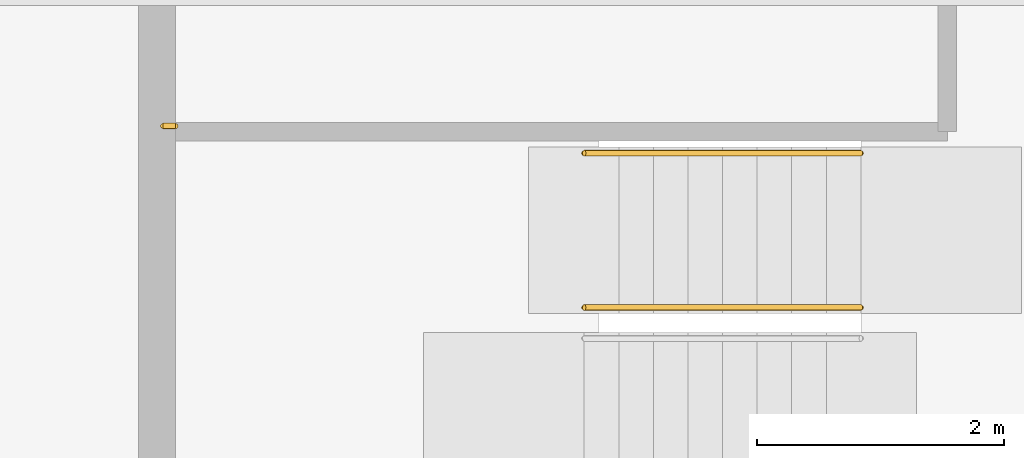
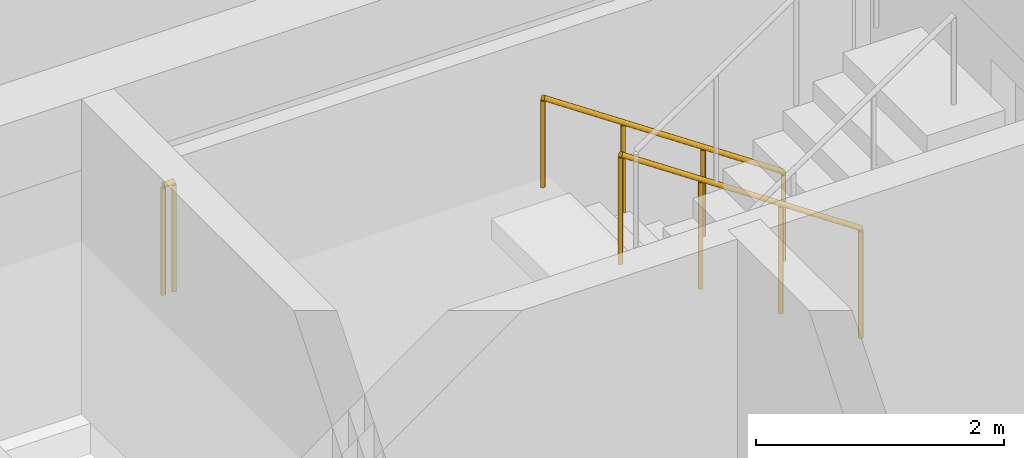
# One storey, part 12 of 13: 3 railings.
"""IFC4 building model written with IfcOpenShell, lengths in metres."""

from ifc_helpers import new_model, si_unit, direction, frame, origin, origin_2d, place, context, subcontext, project, spatial, circle, extrude, material, type_object, element, save


model = new_model("IFC4")

# Units and contexts
model_context = context("Model", 3, precision=1e-05, world=origin(), true_north=direction((0.0, 1.0)))
body_context = subcontext(model_context, "Body", "Model", "MODEL_VIEW")
ifc_project = project(units=[si_unit("LENGTHUNIT", "METRE"), si_unit("AREAUNIT", "SQUARE_METRE"), si_unit("VOLUMEUNIT", "CUBIC_METRE"), si_unit("PLANEANGLEUNIT", "RADIAN"), si_unit("MASSUNIT", "GRAM", prefix="KILO")], contexts=[model_context])

# Site, building, storey
site_placement = place(None, origin())
site = spatial("IfcSite", under=ifc_project, at=site_placement, CompositionType="ELEMENT")
building_placement = place(site_placement, origin())
building = spatial("IfcBuilding", under=site, at=building_placement, Name="Windrow Commons", CompositionType="ELEMENT")
storey_placement = place(building_placement, frame((0.0, 0.0, 220.2)))
storey = spatial("IfcBuildingStorey", under=building, at=storey_placement, Name="L60", CompositionType="ELEMENT", Elevation=220.2)

# Railings
ifc_material_1 = material(Name="Steel S355", Category="steel")
railing_type_1 = type_object("IfcRailingType", Name="Core stair guard 1100", PredefinedType="GUARDRAIL", material=ifc_material_1)
railing_1_placement = place(storey_placement, frame((70.5, 62.355, 0.1889)))
element("IfcRailing", 1, at=railing_1_placement, inside=storey, type_object=railing_type_1, Name="L60 ST-A2 stair guard 1", PredefinedType="GUARDRAIL", context=body_context, shape_type="SweptSolid", body=[
    extrude(circle(Radius=0.024, at=origin_2d()), frame((0.0, 0.0, 1.076), z_axis=(-0.8290030985, 0.0, 0.5592440099), x_axis=(0.0, -1.0, 0.0)), (0.0, 0.0, 1.0), 2.702),
    extrude(circle(Radius=0.021, at=origin_2d()), origin(), (0.0, 0.0, 1.0), 1.052),
    extrude(circle(Radius=0.021, at=origin_2d()), frame((-0.7467, 0.0, 0.5037)), (0.0, 0.0, 1.0), 1.052),
    extrude(circle(Radius=0.021, at=origin_2d()), frame((-1.4933, 0.0, 1.0074)), (0.0, 0.0, 1.0), 1.052),
    extrude(circle(Radius=0.021, at=origin_2d()), frame((-2.24, 0.0, 1.5111)), (0.0, 0.0, 1.0), 1.052),
])
railing_2_placement = place(storey_placement, frame((64.95, 63.825, 1.7)))
element("IfcRailing", 2, at=railing_2_placement, inside=storey, type_object=railing_type_1, Name="L60 ST-A2 stair guard 3", PredefinedType="GUARDRAIL", context=body_context, shape_type="SweptSolid", body=[
    extrude(circle(Radius=0.024, at=origin_2d()), frame((0.0, 0.0, 1.076), z_axis=(-1.0, 0.0, 0.0), x_axis=(0.0, -1.0, 0.0)), (0.0, 0.0, 1.0), 0.1),
    extrude(circle(Radius=0.021, at=origin_2d()), origin(), (0.0, 0.0, 1.0), 1.052),
    extrude(circle(Radius=0.021, at=origin_2d()), frame((-0.1, 0.0, 0.0)), (0.0, 0.0, 1.0), 1.052),
])
ifc_material_2 = material(Name="Steel S355", Category="steel")
railing_type_2 = type_object("IfcRailingType", Name="Core stair handrail 900", PredefinedType="HANDRAIL", material=ifc_material_2)
railing_3_placement = place(storey_placement, frame((70.5, 63.605, 0.1889)))
element("IfcRailing", 3, at=railing_3_placement, inside=storey, type_object=railing_type_2, Name="L60 ST-A2 stair handrail 1", PredefinedType="HANDRAIL", context=body_context, shape_type="SweptSolid", body=[
    extrude(circle(Radius=0.024, at=origin_2d()), frame((0.0, 0.0, 0.876), z_axis=(-0.8290030985, 0.0, 0.5592440099), x_axis=(0.0, -1.0, 0.0)), (0.0, 0.0, 1.0), 2.702),
    extrude(circle(Radius=0.021, at=origin_2d()), origin(), (0.0, 0.0, 1.0), 0.852),
    extrude(circle(Radius=0.021, at=origin_2d()), frame((-0.7467, 0.0, 0.5037)), (0.0, 0.0, 1.0), 0.852),
    extrude(circle(Radius=0.021, at=origin_2d()), frame((-1.4933, 0.0, 1.0074)), (0.0, 0.0, 1.0), 0.852),
    extrude(circle(Radius=0.021, at=origin_2d()), frame((-2.24, 0.0, 1.5111)), (0.0, 0.0, 1.0), 0.852),
])

save(model, "model.ifc")
